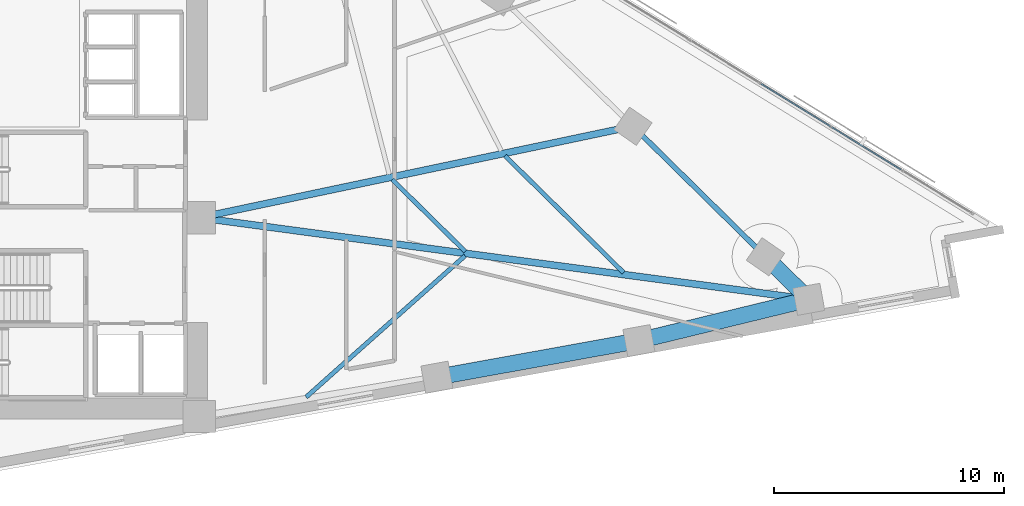
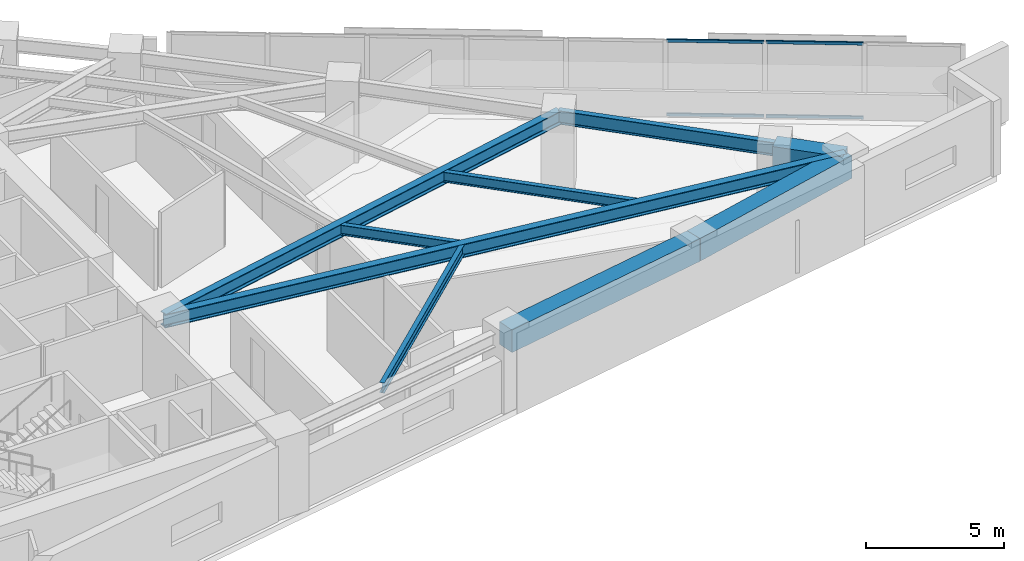
# One storey, part 3 of 18: 9 beams, 4 members, 1 element without a shape of its own.
"""IFC4 building model written with IfcOpenShell, lengths in metres."""

from ifc_helpers import new_model, si_unit, direction, frame, origin, origin_2d, place, context, subcontext, project, spatial, rectangle, hollow_rectangle, i_section, extrude, material, material_profile, profile_set, type_object, element, aggregate, save


model = new_model("IFC4")

# Units and contexts
model_context = context("Model", 3, precision=1e-05, world=origin(), true_north=direction((0.0, 1.0)))
body_context = subcontext(model_context, "Body", "Model", "MODEL_VIEW")
ifc_project = project(units=[si_unit("LENGTHUNIT", "METRE"), si_unit("AREAUNIT", "SQUARE_METRE"), si_unit("VOLUMEUNIT", "CUBIC_METRE"), si_unit("PLANEANGLEUNIT", "RADIAN"), si_unit("MASSUNIT", "GRAM", prefix="KILO")], contexts=[model_context])

# Site, building, storey
site_placement = place(None, origin())
site = spatial("IfcSite", under=ifc_project, at=site_placement, CompositionType="ELEMENT")
building_placement = place(site_placement, origin())
building = spatial("IfcBuilding", under=site, at=building_placement, Name="Narakoshi Arena Tower", CompositionType="ELEMENT")
storey_placement = place(building_placement, frame((0.0, 0.0, 99.300048828125)))
storey = spatial("IfcBuildingStorey", under=building, at=storey_placement, Name="L26", CompositionType="ELEMENT", Elevation=99.300048828125)

# Beams
ifc_material_1 = material(Name="Concrete C60/75", Category="concrete")
ifc_material_profile_1 = material_profile(ifc_material_1, rectangle(XDim=0.699951171875, YDim=1.0, at=origin_2d()), Name="RCB700x1000")
ifc_profile_set_1 = profile_set([ifc_material_profile_1], Name="Concrete C60/75")
beam_type_1 = type_object("IfcBeamType", Name="BM-CPL-1000", PredefinedType="BEAM", material=ifc_profile_set_1)
beam_1_placement = place(storey_placement, frame((95.89013671875, 36.411865234375, 2.83984375), z_axis=(0.984043032412, 0.177930633565, 0.0), x_axis=(-0.177930633565, 0.984043032412, 0.0)))
element("IfcBeam", 1, at=beam_1_placement, inside=storey, type_object=beam_type_1, Name="L26 Perimeter Edge Girder 01", PredefinedType="BEAM", context=body_context, shape_type="SweptSolid", body=[
    extrude(rectangle(XDim=0.699951171875, YDim=1.0, at=origin_2d()), origin(), (0.0, 0.0, 1.0), 8.933837890625),
])
beam_2_placement = place(storey_placement, frame((104.681396484375, 38.00146484375, 2.83984375), z_axis=(0.971695296423, 0.236237700019, 0.0), x_axis=(-0.236237700019, 0.971695296423, 0.0)))
element("IfcBeam", 2, at=beam_2_placement, inside=storey, type_object=beam_type_1, Name="L26 Perimeter Edge Girder 02", PredefinedType="BEAM", context=body_context, shape_type="SweptSolid", body=[
    extrude(rectangle(XDim=0.699951171875, YDim=1.0, at=origin_2d()), origin(), (0.0, 0.0, 1.0), 7.604248046875),
])
beam_3_placement = place(storey_placement, frame((112.0703125, 39.7978515625, 2.83984375), z_axis=(-0.712541924106, 0.70162953643, 0.0), x_axis=(-0.70162953643, -0.712541924106, 0.0)))
element("IfcBeam", 3, at=beam_3_placement, inside=storey, type_object=beam_type_1, Name="L26 Perimeter Edge Girder 03", PredefinedType="BEAM", context=body_context, shape_type="SweptSolid", body=[
    extrude(rectangle(XDim=0.699951171875, YDim=1.0, at=origin_2d()), origin(), (0.0, 0.0, 1.0), 2.639892578125),
])
ifc_material_2 = material(Name="Structural steel S355J2", Category="steel")
ifc_material_profile_2 = material_profile(ifc_material_2, i_section(OverallWidth=0.219970703125, OverallDepth=0.60009765625, WebThickness=0.011962890625, FlangeThickness=0.01904296875, FilletRadius=0.02392578125, at=origin_2d()), Name="IPE600")
ifc_profile_set_2 = profile_set([ifc_material_profile_2], Name="Structural steel S355J2")
beam_type_2 = type_object("IfcBeamType", Name="BM-EDGE-600", PredefinedType="BEAM", material=ifc_profile_set_2)
beam_4_placement = place(storey_placement, frame((110.189208984375, 41.650146484375, 3.0400390625), z_axis=(-0.712543857268, 0.701627573196, 0.0), x_axis=(-0.701627573196, -0.712543857268, 0.0)))
element("IfcBeam", 4, at=beam_4_placement, inside=storey, type_object=beam_type_2, Name="L26 Perimeter Edge Girder 04", PredefinedType="BEAM", context=body_context, shape_type="SweptSolid", body=[
    extrude(i_section(OverallWidth=0.219970703125, OverallDepth=0.60009765625, WebThickness=0.011962890625, FlangeThickness=0.01904296875, FilletRadius=0.02392578125, at=origin_2d()), origin(), (0.0, 0.0, 1.0), 8.095947265625),
])
ifc_material_profile_3 = material_profile(ifc_material_2, i_section(OverallWidth=0.300048828125, OverallDepth=0.60009765625, WebThickness=0.015380859375, FlangeThickness=0.030029296875, FilletRadius=0.027099609375, at=origin_2d()), Name="HE600B")
ifc_profile_set_3 = profile_set([ifc_material_profile_3], Name="Structural steel S355J2")
beam_type_3 = type_object("IfcBeamType", Name="BM-PRI-600", PredefinedType="BEAM", material=ifc_profile_set_3)
beam_5_placement = place(storey_placement, frame((85.550048828125, 43.35009765625, 3.0400390625), z_axis=(0.991148352242, -0.132758968996, 0.0), x_axis=(0.132758968996, 0.991148352242, 0.0)))
element("IfcBeam", 5, at=beam_5_placement, inside=storey, type_object=beam_type_3, Name="L26 Radial Primary Floor Girder 03", PredefinedType="BEAM", context=body_context, shape_type="SweptSolid", body=[
    extrude(i_section(OverallWidth=0.300048828125, OverallDepth=0.60009765625, WebThickness=0.015380859375, FlangeThickness=0.030029296875, FilletRadius=0.027099609375, at=origin_2d()), origin(), (0.0, 0.0, 1.0), 26.757080078125),
])
beam_6_placement = place(storey_placement, frame((85.550048828125, 43.35009765625, 3.0400390625), z_axis=(0.978468582694, 0.206395815562, 0.0), x_axis=(-0.206395815562, 0.978468582694, 0.0)))
element("IfcBeam", 6, at=beam_6_placement, inside=storey, type_object=beam_type_3, Name="L26 Radial Primary Floor Girder 05", PredefinedType="BEAM", context=body_context, shape_type="SweptSolid", body=[
    extrude(i_section(OverallWidth=0.300048828125, OverallDepth=0.60009765625, WebThickness=0.015380859375, FlangeThickness=0.030029296875, FilletRadius=0.027099609375, at=origin_2d()), origin(), (0.0, 0.0, 1.0), 19.28564453125),
])
ifc_material_profile_4 = material_profile(ifc_material_2, i_section(OverallWidth=0.18994140625, OverallDepth=0.449951171875, WebThickness=0.009521484375, FlangeThickness=0.0146484375, FilletRadius=0.02099609375, at=origin_2d()), Name="IPE450")
ifc_profile_set_4 = profile_set([ifc_material_profile_4], Name="Structural steel S355J2")
beam_type_4 = type_object("IfcBeamType", Name="BM-SEC-450", PredefinedType="JOIST", material=ifc_profile_set_4)
beam_7_placement = place(storey_placement, frame((90.200439453125, 35.54296875, 3.114990234375), z_axis=(0.747129936422, 0.664678010846, 0.0), x_axis=(-0.664678010846, 0.747129936422, 0.0)))
element("IfcBeam", 7, at=beam_7_placement, inside=storey, type_object=beam_type_4, Name="L26 Composite Secondary Floor Joist 01", PredefinedType="JOIST", context=body_context, shape_type="SweptSolid", body=[
    extrude(i_section(OverallWidth=0.18994140625, OverallDepth=0.449951171875, WebThickness=0.009521484375, FlangeThickness=0.0146484375, FilletRadius=0.02099609375, at=origin_2d()), origin(), (0.0, 0.0, 1.0), 9.259033203125),
])
beam_8_placement = place(storey_placement, frame((97.122802734375, 41.8818359375, 3.114990234375), z_axis=(-0.712567241067, 0.701603824788, 0.0), x_axis=(-0.701603824788, -0.712567241067, 0.0)))
element("IfcBeam", 8, at=beam_8_placement, inside=storey, type_object=beam_type_4, Name="L26 Composite Secondary Floor Joist 02", PredefinedType="JOIST", context=body_context, shape_type="SweptSolid", body=[
    extrude(i_section(OverallWidth=0.18994140625, OverallDepth=0.449951171875, WebThickness=0.009521484375, FlangeThickness=0.0146484375, FilletRadius=0.02099609375, at=origin_2d()), origin(), (0.0, 0.0, 1.0), 4.45361328125),
])
beam_9_placement = place(storey_placement, frame((104.01806640625, 40.958251953125, 3.114990234375), z_axis=(-0.712561376684, 0.70160978076, 0.0), x_axis=(-0.70160978076, -0.712561376684, 0.0)))
element("IfcBeam", 9, at=beam_9_placement, inside=storey, type_object=beam_type_4, Name="L26 Composite Secondary Floor Joist 03", PredefinedType="JOIST", context=body_context, shape_type="SweptSolid", body=[
    extrude(i_section(OverallWidth=0.18994140625, OverallDepth=0.449951171875, WebThickness=0.009521484375, FlangeThickness=0.0146484375, FilletRadius=0.02099609375, at=origin_2d()), origin(), (0.0, 0.0, 1.0), 7.2451171875),
])

# Curtain wall, members
ifc_material_3 = material(Name="Anodised bronze aluminium 6063-T6", Category="aluminium")
curtain_wall_type = type_object("IfcCurtainWallType", Name="CW-HYP-LOW", PredefinedType="NOTDEFINED", material=ifc_material_3)
curtain_wall_placement = place(storey_placement, origin())
curtain_wall = element("IfcCurtainWall", 10, at=curtain_wall_placement, inside=storey, type_object=curtain_wall_type, Name="L26 Folded Hypotenuse Curtain Wall 1-1", PredefinedType="NOTDEFINED")
ifc_material_profile_5 = material_profile(ifc_material_3, hollow_rectangle(XDim=0.06494140625, YDim=0.1298828125, WallThickness=0.00390625, OuterFilletRadius=0.0048828125, at=origin_2d()), Name="TRN130x65x4")
ifc_profile_set_5 = profile_set([ifc_material_profile_5], Name="Anodised bronze aluminium 6063-T6")
member_type = type_object("IfcMemberType", Name="MEM-TRN-130", PredefinedType="USERDEFINED", material=ifc_profile_set_5)
member_1_placement = place(storey_placement, frame((116.085693359375, 45.4384765625, 0.032470703125), z_axis=(-0.852103699909, 0.523372988032, 0.0), x_axis=(-0.523372988032, -0.852103699909, 0.0)))
member_1 = element("IfcMember", 11, at=member_1_placement, type_object=member_type, Name="CW-01 transom 2.1", ObjectType="TRANSOM", PredefinedType="USERDEFINED", context=body_context, shape_type="SweptSolid", body=[
    extrude(hollow_rectangle(XDim=0.06494140625, YDim=0.1298828125, WallThickness=0.00390625, OuterFilletRadius=0.0048828125, at=origin_2d()), origin(), (0.0, 0.0, 1.0), 3.535888671875),
])
member_2_placement = place(storey_placement, frame((116.085693359375, 45.4384765625, 3.307373046875), z_axis=(-0.852103699909, 0.523372988032, 0.0), x_axis=(-0.523372988032, -0.852103699909, 0.0)))
member_2 = element("IfcMember", 12, at=member_2_placement, type_object=member_type, Name="CW-01 transom 2.2", ObjectType="TRANSOM", PredefinedType="USERDEFINED", context=body_context, shape_type="SweptSolid", body=[
    extrude(hollow_rectangle(XDim=0.06494140625, YDim=0.1298828125, WallThickness=0.00390625, OuterFilletRadius=0.0048828125, at=origin_2d()), origin(), (0.0, 0.0, 1.0), 3.535888671875),
])
member_3_placement = place(storey_placement, frame((113.0087890625, 47.328125, 0.032470703125), z_axis=(-0.852103699909, 0.523372988032, 0.0), x_axis=(-0.523372988032, -0.852103699909, 0.0)))
member_3 = element("IfcMember", 13, at=member_3_placement, type_object=member_type, Name="CW-01 transom 3.1", ObjectType="TRANSOM", PredefinedType="USERDEFINED", context=body_context, shape_type="SweptSolid", body=[
    extrude(hollow_rectangle(XDim=0.06494140625, YDim=0.1298828125, WallThickness=0.00390625, OuterFilletRadius=0.0048828125, at=origin_2d()), origin(), (0.0, 0.0, 1.0), 3.535888671875),
])
member_4_placement = place(storey_placement, frame((113.0087890625, 47.328125, 3.307373046875), z_axis=(-0.852103699909, 0.523372988032, 0.0), x_axis=(-0.523372988032, -0.852103699909, 0.0)))
member_4 = element("IfcMember", 14, at=member_4_placement, type_object=member_type, Name="CW-01 transom 3.2", ObjectType="TRANSOM", PredefinedType="USERDEFINED", context=body_context, shape_type="SweptSolid", body=[
    extrude(hollow_rectangle(XDim=0.06494140625, YDim=0.1298828125, WallThickness=0.00390625, OuterFilletRadius=0.0048828125, at=origin_2d()), origin(), (0.0, 0.0, 1.0), 3.535888671875),
])
aggregate(curtain_wall, [member_1, member_2, member_3, member_4])

save(model, "model.ifc")
